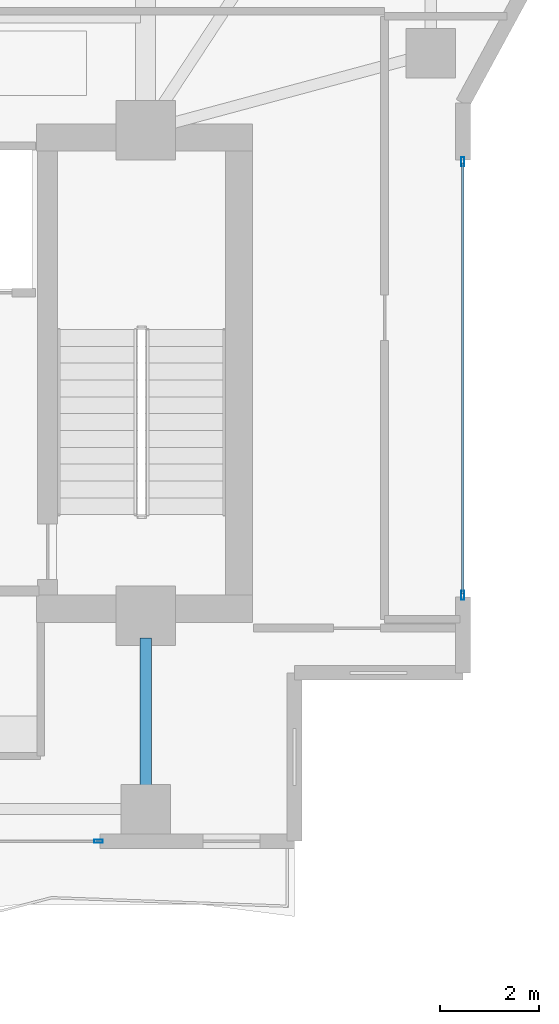
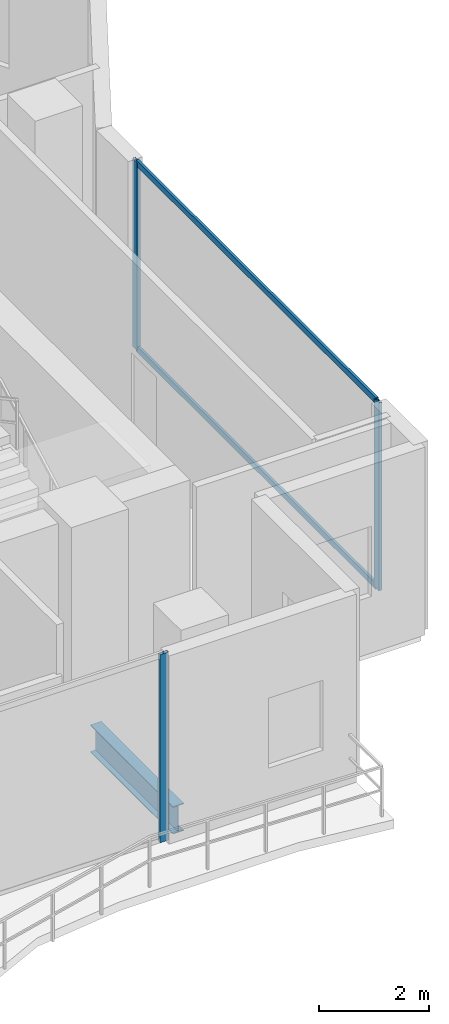
# One storey, part 8 of 24: 5 members, 1 beam, 2 elements without a shape of their own.
"""IFC4 building model written with IfcOpenShell, lengths in metres."""

from ifc_helpers import new_model, si_unit, direction, frame, origin, origin_2d, place, context, subcontext, project, spatial, hollow_rectangle, i_section, extrude, material, layer, layer_set, material_profile, profile_set, type_object, element, aggregate, save


model = new_model("IFC4")

# Units and contexts
model_context = context("Model", 3, precision=1e-05, world=origin(), true_north=direction((0.0, 1.0)))
body_context = subcontext(model_context, "Body", "Model", "MODEL_VIEW")
ifc_project = project(units=[si_unit("LENGTHUNIT", "METRE"), si_unit("AREAUNIT", "SQUARE_METRE"), si_unit("VOLUMEUNIT", "CUBIC_METRE"), si_unit("PLANEANGLEUNIT", "RADIAN"), si_unit("MASSUNIT", "GRAM", prefix="KILO")], contexts=[model_context])

# Site, building, storey
site_placement = place(None, origin())
site = spatial("IfcSite", under=ifc_project, at=site_placement, CompositionType="ELEMENT")
building_placement = place(site_placement, origin())
building = spatial("IfcBuilding", under=site, at=building_placement, Name="Zuhayl Quay Hotel", CompositionType="ELEMENT")
storey_placement = place(building_placement, frame((0.0, 0.0, 292.85009765625)))
storey = spatial("IfcBuildingStorey", under=building, at=storey_placement, Name="L74", CompositionType="ELEMENT", Elevation=292.85009765625)

# Beam
ifc_material_1 = material(Name="Steel ASTM A992 Grade 50", Category="steel")
ifc_material_profile_1 = material_profile(ifc_material_1, i_section(OverallWidth=0.22802734375, OverallDepth=0.60693359375, WebThickness=0.01123046875, FlangeThickness=0.017333984375, at=origin_2d()), Name="W24X76")
ifc_profile_set_1 = profile_set([ifc_material_profile_1], Name="Steel ASTM A992 Grade 50")
beam_type = type_object("IfcBeamType", Name="BM_B3_W24X76", PredefinedType="BEAM", material=ifc_profile_set_1)
beam_placement = place(storey_placement, frame((13.800048828125, 1.110107421875, -0.523681640625), z_axis=(0.0, 1.0, 0.0), x_axis=(-1.0, 0.0, 0.0)))
element("IfcBeam", 1, at=beam_placement, inside=storey, type_object=beam_type, Name="L74 Floor Beam FG_S_L74_4", PredefinedType="BEAM", context=body_context, shape_type="SweptSolid", body=[
    extrude(i_section(OverallWidth=0.22802734375, OverallDepth=0.60693359375, WebThickness=0.01123046875, FlangeThickness=0.017333984375, at=origin_2d()), origin(), (0.0, 0.0, 1.0), 2.989990234375),
])

# Curtain wall, members
ifc_material_2 = material(Name="Anodised Aluminium 6063-T6", Category="aluminium")
ifc_layer = layer(ifc_material_2, 0.169921875, Name="Anodised Aluminium 6063-T6", Category="aluminium")
ifc_layer_set = layer_set([ifc_layer], Name="Anodised Aluminium 6063-T6")
curtain_wall_type = type_object("IfcCurtainWallType", Name="CW_SYS_Z4", PredefinedType="USERDEFINED", material=ifc_layer_set)
curtain_wall_1_placement = place(storey_placement, origin())
curtain_wall_1 = element("IfcCurtainWall", 2, at=curtain_wall_1_placement, inside=storey, type_object=curtain_wall_type, Name="L74 Curtain Wall ENV_L74_E14_CW1", ObjectType="UNITISED CURTAIN WALL", PredefinedType="USERDEFINED")
ifc_material_3 = material(Name="Black-anodised aluminium 6063-T6", Category="aluminium")
ifc_material_profile_2 = material_profile(ifc_material_3, hollow_rectangle(XDim=0.06494140625, YDim=0.179931640625, WallThickness=0.00341796875, at=origin_2d()), Name="ALU180X65")
ifc_profile_set_2 = profile_set([ifc_material_profile_2], Name="Black-anodised aluminium 6063-T6")
member_type_1 = type_object("IfcMemberType", Name="MB_CW_MUL_180", PredefinedType="MULLION", material=ifc_profile_set_2)
member_1_placement = place(storey_placement, frame((20.199951171875, 13.717529296875, 0.0), z_axis=(0.0, 0.0, 1.0), x_axis=(1.0, 0.0, 0.0)))
member_1 = element("IfcMember", 3, at=member_1_placement, type_object=member_type_1, Name="CW-Z4 mullion 1", PredefinedType="MULLION", context=body_context, shape_type="SweptSolid", body=[
    extrude(hollow_rectangle(XDim=0.06494140625, YDim=0.179931640625, WallThickness=0.00341796875, at=origin_2d()), origin(), (0.0, 0.0, 1.0), 4.159912109375),
])
member_2_placement = place(storey_placement, frame((20.199951171875, 4.96240234375, 0.0), z_axis=(0.0, 0.0, 1.0), x_axis=(1.0, 0.0, 0.0)))
member_2 = element("IfcMember", 4, at=member_2_placement, type_object=member_type_1, Name="CW-Z4 mullion 2", PredefinedType="MULLION", context=body_context, shape_type="SweptSolid", body=[
    extrude(hollow_rectangle(XDim=0.06494140625, YDim=0.179931640625, WallThickness=0.00341796875, at=origin_2d()), origin(), (0.0, 0.0, 1.0), 4.159912109375),
])

# Curtain wall, member
curtain_wall_2_placement = place(storey_placement, origin())
curtain_wall_2 = element("IfcCurtainWall", 5, at=curtain_wall_2_placement, inside=storey, type_object=curtain_wall_type, Name="L74 Curtain Wall ENV_L74_S_CW1", ObjectType="UNITISED CURTAIN WALL", PredefinedType="USERDEFINED")
member_3_placement = place(storey_placement, frame((12.847412109375, 0.0, 0.0), z_axis=(0.0, 0.0, 1.0), x_axis=(0.0, -1.0, 0.0)))
member_3 = element("IfcMember", 6, at=member_3_placement, type_object=member_type_1, Name="CW-Z4 mullion 1", PredefinedType="MULLION", context=body_context, shape_type="SweptSolid", body=[
    extrude(hollow_rectangle(XDim=0.06494140625, YDim=0.179931640625, WallThickness=0.00341796875, at=origin_2d()), origin(), (0.0, 0.0, 1.0), 4.159912109375),
])
aggregate(curtain_wall_2, [member_3])

# Member
ifc_material_profile_3 = material_profile(ifc_material_3, hollow_rectangle(XDim=0.054931640625, YDim=0.1298828125, WallThickness=0.0029296875, at=origin_2d()), Name="ALU130X55")
ifc_profile_set_3 = profile_set([ifc_material_profile_3], Name="Black-anodised aluminium 6063-T6")
member_type_2 = type_object("IfcMemberType", Name="MB_CW_TRN_130", PredefinedType="USERDEFINED", material=ifc_profile_set_3)
member_4_placement = place(storey_placement, frame((20.199951171875, 13.68505859375, 0.02734375), z_axis=(0.0, -1.0, 0.0), x_axis=(1.0, 0.0, 0.0)))
member_4 = element("IfcMember", 7, at=member_4_placement, type_object=member_type_2, Name="CW-Z4 transom 1.1", ObjectType="TRANSOM", PredefinedType="USERDEFINED", context=body_context, shape_type="SweptSolid", body=[
    extrude(hollow_rectangle(XDim=0.054931640625, YDim=0.1298828125, WallThickness=0.0029296875, at=origin_2d()), origin(), (0.0, 0.0, 1.0), 8.68994140625),
])

member_5_placement = place(storey_placement, frame((20.199951171875, 13.68505859375, 4.13232421875), z_axis=(0.0, -1.0, 0.0), x_axis=(1.0, 0.0, 0.0)))
member_5 = element("IfcMember", 8, at=member_5_placement, type_object=member_type_2, Name="CW-Z4 transom 1.2", ObjectType="TRANSOM", PredefinedType="USERDEFINED", context=body_context, shape_type="SweptSolid", body=[
    extrude(hollow_rectangle(XDim=0.054931640625, YDim=0.1298828125, WallThickness=0.0029296875, at=origin_2d()), origin(), (0.0, 0.0, 1.0), 8.68994140625),
])

aggregate(curtain_wall_1, [member_1, member_2, member_4, member_5])

save(model, "model.ifc")
